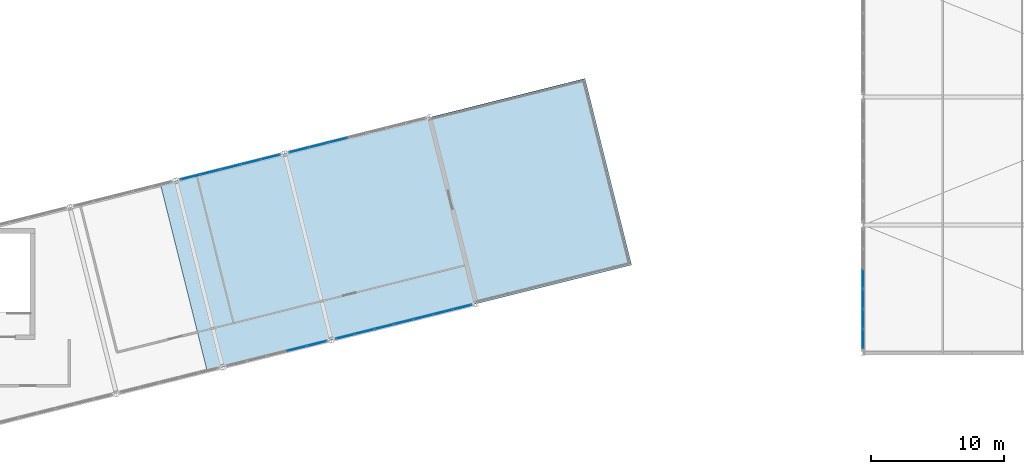
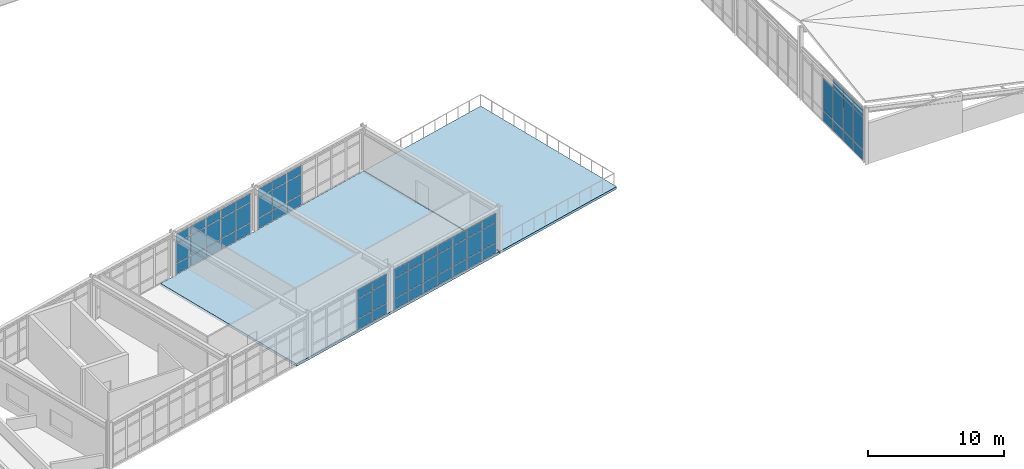
# One storey, part 42 of 64: 62 plates, 2 slabs, 5 elements without a shape of their own.
"""IFC4 building model written with IfcOpenShell, lengths in metres."""

from ifc_helpers import new_model, si_unit, direction, frame, origin, origin_2d, place, context, subcontext, project, spatial, polyline, rectangle, outline, extrude, material, layer, layer_set, type_object, element, aggregate, save


model = new_model("IFC4")

# Units and contexts
model_context = context("Model", 3, precision=1e-05, world=origin(), true_north=direction((0.0, 1.0)))
body_context = subcontext(model_context, "Body", "Model", "MODEL_VIEW")
ifc_project = project(units=[si_unit("LENGTHUNIT", "METRE"), si_unit("AREAUNIT", "SQUARE_METRE"), si_unit("VOLUMEUNIT", "CUBIC_METRE"), si_unit("PLANEANGLEUNIT", "RADIAN"), si_unit("MASSUNIT", "GRAM", prefix="KILO")], contexts=[model_context])

# Site, building, storey
site_placement = place(None, origin())
site = spatial("IfcSite", under=ifc_project, at=site_placement, CompositionType="ELEMENT")
building_placement = place(site_placement, origin())
building = spatial("IfcBuilding", under=site, at=building_placement, Name="Nordkorset Police Headquarters", CompositionType="ELEMENT")
storey_placement = place(building_placement, frame((0.0, 0.0, 17.85009765625)))
storey = spatial("IfcBuildingStorey", under=building, at=storey_placement, Name="L04", CompositionType="ELEMENT", Elevation=17.85009765625)

# Curtain wall, plates
ifc_material_1 = material(Name="Aluminium alloy AW-6060", Category="aluminium")
ifc_layer_1 = layer(ifc_material_1, 0.179931640625, Name="Aluminium alloy AW-6060")
ifc_layer_set_1 = layer_set([ifc_layer_1], Name="Aluminium alloy AW-6060")
curtain_wall_type_1 = type_object("IfcCurtainWallType", Name="CW_Unit_776x369", PredefinedType="USERDEFINED", material=ifc_layer_set_1)
curtain_wall_1_placement = place(storey_placement, origin())
curtain_wall_1 = element("IfcCurtainWall", 1, at=curtain_wall_1_placement, inside=storey, type_object=curtain_wall_type_1, Name="Unitised Curtain Wall L04 V4S-2", ObjectType="UNITISED CURTAIN WALL", PredefinedType="USERDEFINED")
ifc_material_2 = material(Name="Low-iron triple glazing", Category="glass")
ifc_layer_2 = layer(ifc_material_2, 0.035888671875, Name="Low-iron triple glazing")
ifc_layer_set_2 = layer_set([ifc_layer_2], Name="Low-iron triple glazing")
plate_type = type_object("IfcPlateType", Name="CW_Panel_TripleGlazing_36", PredefinedType="CURTAIN_PANEL", material=ifc_layer_set_2)
plate_1_placement = place(storey_placement, frame((48.97119140625, 48.3427734375, 0.06494140625), z_axis=(0.0, 0.0, 1.0), x_axis=(0.970142727556, 0.24253471539, 0.0)))
plate_1 = element("IfcPlate", 2, at=plate_1_placement, type_object=plate_type, Name="CW-21 panel 4.1", PredefinedType="CURTAIN_PANEL", context=body_context, shape_type="SweptSolid", body=[
    extrude(rectangle(XDim=1.487060546875, YDim=0.035888671875, at=origin_2d()), origin(), (0.0, 0.0, 1.0), 0.902587890625),
])
plate_2_placement = place(storey_placement, frame((48.97119140625, 48.3427734375, 1.032470703125), z_axis=(0.0, 0.0, 1.0), x_axis=(0.970142727556, 0.24253471539, 0.0)))
plate_2 = element("IfcPlate", 3, at=plate_2_placement, type_object=plate_type, Name="CW-21 panel 4.2", PredefinedType="CURTAIN_PANEL", context=body_context, shape_type="SweptSolid", body=[
    extrude(rectangle(XDim=1.487060546875, YDim=0.035888671875, at=origin_2d()), origin(), (0.0, 0.0, 1.0), 1.77587890625),
])
plate_3_placement = place(storey_placement, frame((48.97119140625, 48.3427734375, 2.87353515625), z_axis=(0.0, 0.0, 1.0), x_axis=(0.970142727556, 0.24253471539, 0.0)))
plate_3 = element("IfcPlate", 4, at=plate_3_placement, type_object=plate_type, Name="CW-21 panel 4.3", PredefinedType="CURTAIN_PANEL", context=body_context, shape_type="SweptSolid", body=[
    extrude(rectangle(XDim=1.487060546875, YDim=0.035888671875, at=origin_2d()), origin(), (0.0, 0.0, 1.0), 0.75244140625),
])
plate_4_placement = place(storey_placement, frame((50.461181640625, 48.71533203125, 0.06494140625), z_axis=(0.0, 0.0, 1.0), x_axis=(0.970142727556, 0.24253471539, 0.0)))
plate_4 = element("IfcPlate", 5, at=plate_4_placement, type_object=plate_type, Name="CW-21 panel 5.1", PredefinedType="CURTAIN_PANEL", context=body_context, shape_type="SweptSolid", body=[
    extrude(rectangle(XDim=1.45458984375, YDim=0.035888671875, at=origin_2d()), origin(), (0.0, 0.0, 1.0), 0.902587890625),
])
plate_5_placement = place(storey_placement, frame((50.461181640625, 48.71533203125, 1.032470703125), z_axis=(0.0, 0.0, 1.0), x_axis=(0.970142727556, 0.24253471539, 0.0)))
plate_5 = element("IfcPlate", 6, at=plate_5_placement, type_object=plate_type, Name="CW-21 panel 5.2", PredefinedType="CURTAIN_PANEL", context=body_context, shape_type="SweptSolid", body=[
    extrude(rectangle(XDim=1.45458984375, YDim=0.035888671875, at=origin_2d()), origin(), (0.0, 0.0, 1.0), 1.77587890625),
])
plate_6_placement = place(storey_placement, frame((50.461181640625, 48.71533203125, 2.87353515625), z_axis=(0.0, 0.0, 1.0), x_axis=(0.970142727556, 0.24253471539, 0.0)))
plate_6 = element("IfcPlate", 7, at=plate_6_placement, type_object=plate_type, Name="CW-21 panel 5.3", PredefinedType="CURTAIN_PANEL", context=body_context, shape_type="SweptSolid", body=[
    extrude(rectangle(XDim=1.45458984375, YDim=0.035888671875, at=origin_2d()), origin(), (0.0, 0.0, 1.0), 0.75244140625),
])
aggregate(curtain_wall_1, [plate_1, plate_2, plate_3, plate_4, plate_5, plate_6])

curtain_wall_2_placement = place(storey_placement, origin())
curtain_wall_2 = element("IfcCurtainWall", 8, at=curtain_wall_2_placement, inside=storey, type_object=curtain_wall_type_1, Name="Unitised Curtain Wall L04 V4N-2", ObjectType="UNITISED CURTAIN WALL", PredefinedType="USERDEFINED")
plate_7_placement = place(storey_placement, frame((40.9775390625, 61.1875, 0.06494140625), z_axis=(0.0, 0.0, 1.0), x_axis=(0.970142424344, 0.242535928242, 0.0)))
plate_7 = element("IfcPlate", 9, at=plate_7_placement, type_object=plate_type, Name="CW-21 panel 1.1", PredefinedType="CURTAIN_PANEL", context=body_context, shape_type="SweptSolid", body=[
    extrude(rectangle(XDim=1.45458984375, YDim=0.035888671875, at=origin_2d()), origin(), (0.0, 0.0, 1.0), 0.902587890625),
])
plate_8_placement = place(storey_placement, frame((40.9775390625, 61.1875, 1.032470703125), z_axis=(0.0, 0.0, 1.0), x_axis=(0.970142424344, 0.242535928242, 0.0)))
plate_8 = element("IfcPlate", 10, at=plate_8_placement, type_object=plate_type, Name="CW-21 panel 1.2", PredefinedType="CURTAIN_PANEL", context=body_context, shape_type="SweptSolid", body=[
    extrude(rectangle(XDim=1.45458984375, YDim=0.035888671875, at=origin_2d()), origin(), (0.0, 0.0, 1.0), 1.77587890625),
])
plate_9_placement = place(storey_placement, frame((40.9775390625, 61.1875, 2.87353515625), z_axis=(0.0, 0.0, 1.0), x_axis=(0.970142424344, 0.242535928242, 0.0)))
plate_9 = element("IfcPlate", 11, at=plate_9_placement, type_object=plate_type, Name="CW-21 panel 1.3", PredefinedType="CURTAIN_PANEL", context=body_context, shape_type="SweptSolid", body=[
    extrude(rectangle(XDim=1.45458984375, YDim=0.035888671875, at=origin_2d()), origin(), (0.0, 0.0, 1.0), 0.75244140625),
])
plate_10_placement = place(storey_placement, frame((42.46728515625, 61.56005859375, 0.06494140625), z_axis=(0.0, 0.0, 1.0), x_axis=(0.970142424344, 0.242535928242, 0.0)))
plate_10 = element("IfcPlate", 12, at=plate_10_placement, type_object=plate_type, Name="CW-21 panel 2.1", PredefinedType="CURTAIN_PANEL", context=body_context, shape_type="SweptSolid", body=[
    extrude(rectangle(XDim=1.487060546875, YDim=0.035888671875, at=origin_2d()), origin(), (0.0, 0.0, 1.0), 0.902587890625),
])
plate_11_placement = place(storey_placement, frame((42.46728515625, 61.56005859375, 1.032470703125), z_axis=(0.0, 0.0, 1.0), x_axis=(0.970142424344, 0.242535928242, 0.0)))
plate_11 = element("IfcPlate", 13, at=plate_11_placement, type_object=plate_type, Name="CW-21 panel 2.2", PredefinedType="CURTAIN_PANEL", context=body_context, shape_type="SweptSolid", body=[
    extrude(rectangle(XDim=1.487060546875, YDim=0.035888671875, at=origin_2d()), origin(), (0.0, 0.0, 1.0), 1.77587890625),
])
plate_12_placement = place(storey_placement, frame((42.46728515625, 61.56005859375, 2.87353515625), z_axis=(0.0, 0.0, 1.0), x_axis=(0.970142424344, 0.242535928242, 0.0)))
plate_12 = element("IfcPlate", 14, at=plate_12_placement, type_object=plate_type, Name="CW-21 panel 2.3", PredefinedType="CURTAIN_PANEL", context=body_context, shape_type="SweptSolid", body=[
    extrude(rectangle(XDim=1.487060546875, YDim=0.035888671875, at=origin_2d()), origin(), (0.0, 0.0, 1.0), 0.75244140625),
])
plate_13_placement = place(storey_placement, frame((43.972900390625, 61.9365234375, 0.06494140625), z_axis=(0.0, 0.0, 1.0), x_axis=(0.970142424344, 0.242535928242, 0.0)))
plate_13 = element("IfcPlate", 15, at=plate_13_placement, type_object=plate_type, Name="CW-21 panel 3.1", PredefinedType="CURTAIN_PANEL", context=body_context, shape_type="SweptSolid", body=[
    extrude(rectangle(XDim=1.487060546875, YDim=0.035888671875, at=origin_2d()), origin(), (0.0, 0.0, 1.0), 0.902587890625),
])
plate_14_placement = place(storey_placement, frame((43.972900390625, 61.9365234375, 1.032470703125), z_axis=(0.0, 0.0, 1.0), x_axis=(0.970142424344, 0.242535928242, 0.0)))
plate_14 = element("IfcPlate", 16, at=plate_14_placement, type_object=plate_type, Name="CW-21 panel 3.2", PredefinedType="CURTAIN_PANEL", context=body_context, shape_type="SweptSolid", body=[
    extrude(rectangle(XDim=1.487060546875, YDim=0.035888671875, at=origin_2d()), origin(), (0.0, 0.0, 1.0), 1.77587890625),
])
plate_15_placement = place(storey_placement, frame((43.972900390625, 61.9365234375, 2.87353515625), z_axis=(0.0, 0.0, 1.0), x_axis=(0.970142424344, 0.242535928242, 0.0)))
plate_15 = element("IfcPlate", 17, at=plate_15_placement, type_object=plate_type, Name="CW-21 panel 3.3", PredefinedType="CURTAIN_PANEL", context=body_context, shape_type="SweptSolid", body=[
    extrude(rectangle(XDim=1.487060546875, YDim=0.035888671875, at=origin_2d()), origin(), (0.0, 0.0, 1.0), 0.75244140625),
])
plate_16_placement = place(storey_placement, frame((45.478759765625, 62.312744140625, 0.06494140625), z_axis=(0.0, 0.0, 1.0), x_axis=(0.970142424344, 0.242535928242, 0.0)))
plate_16 = element("IfcPlate", 18, at=plate_16_placement, type_object=plate_type, Name="CW-21 panel 4.1", PredefinedType="CURTAIN_PANEL", context=body_context, shape_type="SweptSolid", body=[
    extrude(rectangle(XDim=1.487060546875, YDim=0.035888671875, at=origin_2d()), origin(), (0.0, 0.0, 1.0), 0.902587890625),
])
plate_17_placement = place(storey_placement, frame((45.478759765625, 62.312744140625, 1.032470703125), z_axis=(0.0, 0.0, 1.0), x_axis=(0.970142424344, 0.242535928242, 0.0)))
plate_17 = element("IfcPlate", 19, at=plate_17_placement, type_object=plate_type, Name="CW-21 panel 4.2", PredefinedType="CURTAIN_PANEL", context=body_context, shape_type="SweptSolid", body=[
    extrude(rectangle(XDim=1.487060546875, YDim=0.035888671875, at=origin_2d()), origin(), (0.0, 0.0, 1.0), 1.77587890625),
])
plate_18_placement = place(storey_placement, frame((45.478759765625, 62.312744140625, 2.87353515625), z_axis=(0.0, 0.0, 1.0), x_axis=(0.970142424344, 0.242535928242, 0.0)))
plate_18 = element("IfcPlate", 20, at=plate_18_placement, type_object=plate_type, Name="CW-21 panel 4.3", PredefinedType="CURTAIN_PANEL", context=body_context, shape_type="SweptSolid", body=[
    extrude(rectangle(XDim=1.487060546875, YDim=0.035888671875, at=origin_2d()), origin(), (0.0, 0.0, 1.0), 0.75244140625),
])
plate_19_placement = place(storey_placement, frame((46.968505859375, 62.685302734375, 0.06494140625), z_axis=(0.0, 0.0, 1.0), x_axis=(0.970142424344, 0.242535928242, 0.0)))
plate_19 = element("IfcPlate", 21, at=plate_19_placement, type_object=plate_type, Name="CW-21 panel 5.1", PredefinedType="CURTAIN_PANEL", context=body_context, shape_type="SweptSolid", body=[
    extrude(rectangle(XDim=1.45458984375, YDim=0.035888671875, at=origin_2d()), origin(), (0.0, 0.0, 1.0), 0.902587890625),
])
plate_20_placement = place(storey_placement, frame((46.968505859375, 62.685302734375, 1.032470703125), z_axis=(0.0, 0.0, 1.0), x_axis=(0.970142424344, 0.242535928242, 0.0)))
plate_20 = element("IfcPlate", 22, at=plate_20_placement, type_object=plate_type, Name="CW-21 panel 5.2", PredefinedType="CURTAIN_PANEL", context=body_context, shape_type="SweptSolid", body=[
    extrude(rectangle(XDim=1.45458984375, YDim=0.035888671875, at=origin_2d()), origin(), (0.0, 0.0, 1.0), 1.77587890625),
])
plate_21_placement = place(storey_placement, frame((46.968505859375, 62.685302734375, 2.87353515625), z_axis=(0.0, 0.0, 1.0), x_axis=(0.970142424344, 0.242535928242, 0.0)))
plate_21 = element("IfcPlate", 23, at=plate_21_placement, type_object=plate_type, Name="CW-21 panel 5.3", PredefinedType="CURTAIN_PANEL", context=body_context, shape_type="SweptSolid", body=[
    extrude(rectangle(XDim=1.45458984375, YDim=0.035888671875, at=origin_2d()), origin(), (0.0, 0.0, 1.0), 0.75244140625),
])
aggregate(curtain_wall_2, [plate_7, plate_8, plate_9, plate_10, plate_11, plate_12, plate_13, plate_14, plate_15, plate_16, plate_17, plate_18, plate_19, plate_20, plate_21])

ifc_material_3 = material(Name="Aluminium alloy AW-6060", Category="aluminium")
ifc_layer_3 = layer(ifc_material_3, 0.179931640625, Name="Aluminium alloy AW-6060")
ifc_layer_set_3 = layer_set([ifc_layer_3], Name="Aluminium alloy AW-6060")
curtain_wall_type_2 = type_object("IfcCurtainWallType", Name="CW_Unit_1056x369", PredefinedType="USERDEFINED", material=ifc_layer_set_3)
curtain_wall_3_placement = place(storey_placement, origin())
curtain_wall_3 = element("IfcCurtainWall", 24, at=curtain_wall_3_placement, inside=storey, type_object=curtain_wall_type_2, Name="Unitised Curtain Wall L04 V4S-3", ObjectType="UNITISED CURTAIN WALL", PredefinedType="USERDEFINED")
plate_22_placement = place(storey_placement, frame((52.59814453125, 49.24951171875, 0.06494140625), z_axis=(0.0, 0.0, 1.0), x_axis=(0.970142611554, 0.242535179399, 0.0)))
plate_22 = element("IfcPlate", 25, at=plate_22_placement, type_object=plate_type, Name="CW-97 panel 1.1", PredefinedType="CURTAIN_PANEL", context=body_context, shape_type="SweptSolid", body=[
    extrude(rectangle(XDim=1.4111328125, YDim=0.035888671875, at=origin_2d()), origin(), (0.0, 0.0, 1.0), 0.902587890625),
])
plate_23_placement = place(storey_placement, frame((52.59814453125, 49.24951171875, 1.032470703125), z_axis=(0.0, 0.0, 1.0), x_axis=(0.970142611554, 0.242535179399, 0.0)))
plate_23 = element("IfcPlate", 26, at=plate_23_placement, type_object=plate_type, Name="CW-97 panel 1.2", PredefinedType="CURTAIN_PANEL", context=body_context, shape_type="SweptSolid", body=[
    extrude(rectangle(XDim=1.4111328125, YDim=0.035888671875, at=origin_2d()), origin(), (0.0, 0.0, 1.0), 1.77587890625),
])
plate_24_placement = place(storey_placement, frame((52.59814453125, 49.24951171875, 2.87353515625), z_axis=(0.0, 0.0, 1.0), x_axis=(0.970142611554, 0.242535179399, 0.0)))
plate_24 = element("IfcPlate", 27, at=plate_24_placement, type_object=plate_type, Name="CW-97 panel 1.3", PredefinedType="CURTAIN_PANEL", context=body_context, shape_type="SweptSolid", body=[
    extrude(rectangle(XDim=1.4111328125, YDim=0.035888671875, at=origin_2d()), origin(), (0.0, 0.0, 1.0), 0.75244140625),
])
plate_25_placement = place(storey_placement, frame((54.0458984375, 49.611572265625, 0.06494140625), z_axis=(0.0, 0.0, 1.0), x_axis=(0.970142611554, 0.242535179399, 0.0)))
plate_25 = element("IfcPlate", 28, at=plate_25_placement, type_object=plate_type, Name="CW-97 panel 2.1", PredefinedType="CURTAIN_PANEL", context=body_context, shape_type="SweptSolid", body=[
    extrude(rectangle(XDim=1.443603515625, YDim=0.035888671875, at=origin_2d()), origin(), (0.0, 0.0, 1.0), 0.902587890625),
])
plate_26_placement = place(storey_placement, frame((54.0458984375, 49.611572265625, 1.032470703125), z_axis=(0.0, 0.0, 1.0), x_axis=(0.970142611554, 0.242535179399, 0.0)))
plate_26 = element("IfcPlate", 29, at=plate_26_placement, type_object=plate_type, Name="CW-97 panel 2.2", PredefinedType="CURTAIN_PANEL", context=body_context, shape_type="SweptSolid", body=[
    extrude(rectangle(XDim=1.443603515625, YDim=0.035888671875, at=origin_2d()), origin(), (0.0, 0.0, 1.0), 1.77587890625),
])
plate_27_placement = place(storey_placement, frame((54.0458984375, 49.611572265625, 2.87353515625), z_axis=(0.0, 0.0, 1.0), x_axis=(0.970142611554, 0.242535179399, 0.0)))
plate_27 = element("IfcPlate", 30, at=plate_27_placement, type_object=plate_type, Name="CW-97 panel 2.3", PredefinedType="CURTAIN_PANEL", context=body_context, shape_type="SweptSolid", body=[
    extrude(rectangle(XDim=1.443603515625, YDim=0.035888671875, at=origin_2d()), origin(), (0.0, 0.0, 1.0), 0.75244140625),
])
plate_28_placement = place(storey_placement, frame((55.50927734375, 49.977294921875, 0.06494140625), z_axis=(0.0, 0.0, 1.0), x_axis=(0.970142611554, 0.242535179399, 0.0)))
plate_28 = element("IfcPlate", 31, at=plate_28_placement, type_object=plate_type, Name="CW-97 panel 3.1", PredefinedType="CURTAIN_PANEL", context=body_context, shape_type="SweptSolid", body=[
    extrude(rectangle(XDim=1.443603515625, YDim=0.035888671875, at=origin_2d()), origin(), (0.0, 0.0, 1.0), 0.902587890625),
])
plate_29_placement = place(storey_placement, frame((55.50927734375, 49.977294921875, 1.032470703125), z_axis=(0.0, 0.0, 1.0), x_axis=(0.970142611554, 0.242535179399, 0.0)))
plate_29 = element("IfcPlate", 32, at=plate_29_placement, type_object=plate_type, Name="CW-97 panel 3.2", PredefinedType="CURTAIN_PANEL", context=body_context, shape_type="SweptSolid", body=[
    extrude(rectangle(XDim=1.443603515625, YDim=0.035888671875, at=origin_2d()), origin(), (0.0, 0.0, 1.0), 1.77587890625),
])
plate_30_placement = place(storey_placement, frame((55.50927734375, 49.977294921875, 2.87353515625), z_axis=(0.0, 0.0, 1.0), x_axis=(0.970142611554, 0.242535179399, 0.0)))
plate_30 = element("IfcPlate", 33, at=plate_30_placement, type_object=plate_type, Name="CW-97 panel 3.3", PredefinedType="CURTAIN_PANEL", context=body_context, shape_type="SweptSolid", body=[
    extrude(rectangle(XDim=1.443603515625, YDim=0.035888671875, at=origin_2d()), origin(), (0.0, 0.0, 1.0), 0.75244140625),
])
plate_31_placement = place(storey_placement, frame((56.972900390625, 50.34326171875, 0.06494140625), z_axis=(0.0, 0.0, 1.0), x_axis=(0.970142611554, 0.242535179399, 0.0)))
plate_31 = element("IfcPlate", 34, at=plate_31_placement, type_object=plate_type, Name="CW-97 panel 4.1", PredefinedType="CURTAIN_PANEL", context=body_context, shape_type="SweptSolid", body=[
    extrude(rectangle(XDim=1.443603515625, YDim=0.035888671875, at=origin_2d()), origin(), (0.0, 0.0, 1.0), 0.902587890625),
])
plate_32_placement = place(storey_placement, frame((56.972900390625, 50.34326171875, 1.032470703125), z_axis=(0.0, 0.0, 1.0), x_axis=(0.970142611554, 0.242535179399, 0.0)))
plate_32 = element("IfcPlate", 35, at=plate_32_placement, type_object=plate_type, Name="CW-97 panel 4.2", PredefinedType="CURTAIN_PANEL", context=body_context, shape_type="SweptSolid", body=[
    extrude(rectangle(XDim=1.443603515625, YDim=0.035888671875, at=origin_2d()), origin(), (0.0, 0.0, 1.0), 1.77587890625),
])
plate_33_placement = place(storey_placement, frame((56.972900390625, 50.34326171875, 2.87353515625), z_axis=(0.0, 0.0, 1.0), x_axis=(0.970142611554, 0.242535179399, 0.0)))
plate_33 = element("IfcPlate", 36, at=plate_33_placement, type_object=plate_type, Name="CW-97 panel 4.3", PredefinedType="CURTAIN_PANEL", context=body_context, shape_type="SweptSolid", body=[
    extrude(rectangle(XDim=1.443603515625, YDim=0.035888671875, at=origin_2d()), origin(), (0.0, 0.0, 1.0), 0.75244140625),
])
plate_34_placement = place(storey_placement, frame((58.4365234375, 50.708984375, 0.06494140625), z_axis=(0.0, 0.0, 1.0), x_axis=(0.970142611554, 0.242535179399, 0.0)))
plate_34 = element("IfcPlate", 37, at=plate_34_placement, type_object=plate_type, Name="CW-97 panel 5.1", PredefinedType="CURTAIN_PANEL", context=body_context, shape_type="SweptSolid", body=[
    extrude(rectangle(XDim=1.443603515625, YDim=0.035888671875, at=origin_2d()), origin(), (0.0, 0.0, 1.0), 0.902587890625),
])
plate_35_placement = place(storey_placement, frame((58.4365234375, 50.708984375, 1.032470703125), z_axis=(0.0, 0.0, 1.0), x_axis=(0.970142611554, 0.242535179399, 0.0)))
plate_35 = element("IfcPlate", 38, at=plate_35_placement, type_object=plate_type, Name="CW-97 panel 5.2", PredefinedType="CURTAIN_PANEL", context=body_context, shape_type="SweptSolid", body=[
    extrude(rectangle(XDim=1.443603515625, YDim=0.035888671875, at=origin_2d()), origin(), (0.0, 0.0, 1.0), 1.77587890625),
])
plate_36_placement = place(storey_placement, frame((58.4365234375, 50.708984375, 2.87353515625), z_axis=(0.0, 0.0, 1.0), x_axis=(0.970142611554, 0.242535179399, 0.0)))
plate_36 = element("IfcPlate", 39, at=plate_36_placement, type_object=plate_type, Name="CW-97 panel 5.3", PredefinedType="CURTAIN_PANEL", context=body_context, shape_type="SweptSolid", body=[
    extrude(rectangle(XDim=1.443603515625, YDim=0.035888671875, at=origin_2d()), origin(), (0.0, 0.0, 1.0), 0.75244140625),
])
plate_37_placement = place(storey_placement, frame((59.89990234375, 51.074951171875, 0.06494140625), z_axis=(0.0, 0.0, 1.0), x_axis=(0.970142611554, 0.242535179399, 0.0)))
plate_37 = element("IfcPlate", 40, at=plate_37_placement, type_object=plate_type, Name="CW-97 panel 6.1", PredefinedType="CURTAIN_PANEL", context=body_context, shape_type="SweptSolid", body=[
    extrude(rectangle(XDim=1.443603515625, YDim=0.035888671875, at=origin_2d()), origin(), (0.0, 0.0, 1.0), 0.902587890625),
])
plate_38_placement = place(storey_placement, frame((59.89990234375, 51.074951171875, 1.032470703125), z_axis=(0.0, 0.0, 1.0), x_axis=(0.970142611554, 0.242535179399, 0.0)))
plate_38 = element("IfcPlate", 41, at=plate_38_placement, type_object=plate_type, Name="CW-97 panel 6.2", PredefinedType="CURTAIN_PANEL", context=body_context, shape_type="SweptSolid", body=[
    extrude(rectangle(XDim=1.443603515625, YDim=0.035888671875, at=origin_2d()), origin(), (0.0, 0.0, 1.0), 1.77587890625),
])
plate_39_placement = place(storey_placement, frame((59.89990234375, 51.074951171875, 2.87353515625), z_axis=(0.0, 0.0, 1.0), x_axis=(0.970142611554, 0.242535179399, 0.0)))
plate_39 = element("IfcPlate", 42, at=plate_39_placement, type_object=plate_type, Name="CW-97 panel 6.3", PredefinedType="CURTAIN_PANEL", context=body_context, shape_type="SweptSolid", body=[
    extrude(rectangle(XDim=1.443603515625, YDim=0.035888671875, at=origin_2d()), origin(), (0.0, 0.0, 1.0), 0.75244140625),
])
plate_40_placement = place(storey_placement, frame((61.34765625, 51.43701171875, 0.06494140625), z_axis=(0.0, 0.0, 1.0), x_axis=(0.970142611554, 0.242535179399, 0.0)))
plate_40 = element("IfcPlate", 43, at=plate_40_placement, type_object=plate_type, Name="CW-97 panel 7.1", PredefinedType="CURTAIN_PANEL", context=body_context, shape_type="SweptSolid", body=[
    extrude(rectangle(XDim=1.4111328125, YDim=0.035888671875, at=origin_2d()), origin(), (0.0, 0.0, 1.0), 0.902587890625),
])
plate_41_placement = place(storey_placement, frame((61.34765625, 51.43701171875, 1.032470703125), z_axis=(0.0, 0.0, 1.0), x_axis=(0.970142611554, 0.242535179399, 0.0)))
plate_41 = element("IfcPlate", 44, at=plate_41_placement, type_object=plate_type, Name="CW-97 panel 7.2", PredefinedType="CURTAIN_PANEL", context=body_context, shape_type="SweptSolid", body=[
    extrude(rectangle(XDim=1.4111328125, YDim=0.035888671875, at=origin_2d()), origin(), (0.0, 0.0, 1.0), 1.77587890625),
])
plate_42_placement = place(storey_placement, frame((61.34765625, 51.43701171875, 2.87353515625), z_axis=(0.0, 0.0, 1.0), x_axis=(0.970142611554, 0.242535179399, 0.0)))
plate_42 = element("IfcPlate", 45, at=plate_42_placement, type_object=plate_type, Name="CW-97 panel 7.3", PredefinedType="CURTAIN_PANEL", context=body_context, shape_type="SweptSolid", body=[
    extrude(rectangle(XDim=1.4111328125, YDim=0.035888671875, at=origin_2d()), origin(), (0.0, 0.0, 1.0), 0.75244140625),
])
aggregate(curtain_wall_3, [plate_22, plate_23, plate_24, plate_25, plate_26, plate_27, plate_28, plate_29, plate_30, plate_31, plate_32, plate_33, plate_34, plate_35, plate_36, plate_37, plate_38, plate_39, plate_40, plate_41, plate_42])

curtain_wall_4_placement = place(storey_placement, origin())
curtain_wall_4 = element("IfcCurtainWall", 46, at=curtain_wall_4_placement, inside=storey, type_object=curtain_wall_type_2, Name="Unitised Curtain Wall L04 V4N-3", ObjectType="UNITISED CURTAIN WALL", PredefinedType="USERDEFINED")
plate_43_placement = place(storey_placement, frame((49.10546875, 63.219482421875, 0.06494140625), z_axis=(0.0, 0.0, 1.0), x_axis=(0.970142388735, 0.242536070676, 0.0)))
plate_43 = element("IfcPlate", 47, at=plate_43_placement, type_object=plate_type, Name="CW-97 panel 1.1", PredefinedType="CURTAIN_PANEL", context=body_context, shape_type="SweptSolid", body=[
    extrude(rectangle(XDim=1.4111328125, YDim=0.035888671875, at=origin_2d()), origin(), (0.0, 0.0, 1.0), 0.902587890625),
])
plate_44_placement = place(storey_placement, frame((49.10546875, 63.219482421875, 1.032470703125), z_axis=(0.0, 0.0, 1.0), x_axis=(0.970142388735, 0.242536070676, 0.0)))
plate_44 = element("IfcPlate", 48, at=plate_44_placement, type_object=plate_type, Name="CW-97 panel 1.2", PredefinedType="CURTAIN_PANEL", context=body_context, shape_type="SweptSolid", body=[
    extrude(rectangle(XDim=1.4111328125, YDim=0.035888671875, at=origin_2d()), origin(), (0.0, 0.0, 1.0), 1.77587890625),
])
plate_45_placement = place(storey_placement, frame((49.10546875, 63.219482421875, 2.87353515625), z_axis=(0.0, 0.0, 1.0), x_axis=(0.970142388735, 0.242536070676, 0.0)))
plate_45 = element("IfcPlate", 49, at=plate_45_placement, type_object=plate_type, Name="CW-97 panel 1.3", PredefinedType="CURTAIN_PANEL", context=body_context, shape_type="SweptSolid", body=[
    extrude(rectangle(XDim=1.4111328125, YDim=0.035888671875, at=origin_2d()), origin(), (0.0, 0.0, 1.0), 0.75244140625),
])
plate_46_placement = place(storey_placement, frame((50.55322265625, 63.58154296875, 0.06494140625), z_axis=(0.0, 0.0, 1.0), x_axis=(0.970142388735, 0.242536070676, 0.0)))
plate_46 = element("IfcPlate", 50, at=plate_46_placement, type_object=plate_type, Name="CW-97 panel 2.1", PredefinedType="CURTAIN_PANEL", context=body_context, shape_type="SweptSolid", body=[
    extrude(rectangle(XDim=1.443603515625, YDim=0.035888671875, at=origin_2d()), origin(), (0.0, 0.0, 1.0), 0.902587890625),
])
plate_47_placement = place(storey_placement, frame((50.55322265625, 63.58154296875, 1.032470703125), z_axis=(0.0, 0.0, 1.0), x_axis=(0.970142388735, 0.242536070676, 0.0)))
plate_47 = element("IfcPlate", 51, at=plate_47_placement, type_object=plate_type, Name="CW-97 panel 2.2", PredefinedType="CURTAIN_PANEL", context=body_context, shape_type="SweptSolid", body=[
    extrude(rectangle(XDim=1.443603515625, YDim=0.035888671875, at=origin_2d()), origin(), (0.0, 0.0, 1.0), 1.77587890625),
])
plate_48_placement = place(storey_placement, frame((50.55322265625, 63.58154296875, 2.87353515625), z_axis=(0.0, 0.0, 1.0), x_axis=(0.970142388735, 0.242536070676, 0.0)))
plate_48 = element("IfcPlate", 52, at=plate_48_placement, type_object=plate_type, Name="CW-97 panel 2.3", PredefinedType="CURTAIN_PANEL", context=body_context, shape_type="SweptSolid", body=[
    extrude(rectangle(XDim=1.443603515625, YDim=0.035888671875, at=origin_2d()), origin(), (0.0, 0.0, 1.0), 0.75244140625),
])
plate_49_placement = place(storey_placement, frame((52.016845703125, 63.947509765625, 0.06494140625), z_axis=(0.0, 0.0, 1.0), x_axis=(0.970142388735, 0.242536070676, 0.0)))
plate_49 = element("IfcPlate", 53, at=plate_49_placement, type_object=plate_type, Name="CW-97 panel 3.1", PredefinedType="CURTAIN_PANEL", context=body_context, shape_type="SweptSolid", body=[
    extrude(rectangle(XDim=1.443603515625, YDim=0.035888671875, at=origin_2d()), origin(), (0.0, 0.0, 1.0), 0.902587890625),
])
plate_50_placement = place(storey_placement, frame((52.016845703125, 63.947509765625, 1.032470703125), z_axis=(0.0, 0.0, 1.0), x_axis=(0.970142388735, 0.242536070676, 0.0)))
plate_50 = element("IfcPlate", 54, at=plate_50_placement, type_object=plate_type, Name="CW-97 panel 3.2", PredefinedType="CURTAIN_PANEL", context=body_context, shape_type="SweptSolid", body=[
    extrude(rectangle(XDim=1.443603515625, YDim=0.035888671875, at=origin_2d()), origin(), (0.0, 0.0, 1.0), 1.77587890625),
])
plate_51_placement = place(storey_placement, frame((52.016845703125, 63.947509765625, 2.87353515625), z_axis=(0.0, 0.0, 1.0), x_axis=(0.970142388735, 0.242536070676, 0.0)))
plate_51 = element("IfcPlate", 55, at=plate_51_placement, type_object=plate_type, Name="CW-97 panel 3.3", PredefinedType="CURTAIN_PANEL", context=body_context, shape_type="SweptSolid", body=[
    extrude(rectangle(XDim=1.443603515625, YDim=0.035888671875, at=origin_2d()), origin(), (0.0, 0.0, 1.0), 0.75244140625),
])
aggregate(curtain_wall_4, [plate_43, plate_44, plate_45, plate_46, plate_47, plate_48, plate_49, plate_50, plate_51])

ifc_material_4 = material(Name="Aluminium alloy AW-6060", Category="aluminium")
ifc_layer_4 = layer(ifc_material_4, 0.179931640625, Name="Aluminium alloy AW-6060")
ifc_layer_set_4 = layer_set([ifc_layer_4], Name="Aluminium alloy AW-6060")
curtain_wall_type_3 = type_object("IfcCurtainWallType", Name="CW_Unit_900x479", PredefinedType="USERDEFINED", material=ifc_layer_set_4)
curtain_wall_5_placement = place(storey_placement, origin())
curtain_wall_5 = element("IfcCurtainWall", 56, at=curtain_wall_5_placement, inside=storey, type_object=curtain_wall_type_3, Name="Unitised Curtain Wall L04 V5CLER-0", ObjectType="UNITISED CURTAIN WALL", PredefinedType="USERDEFINED")
plate_52_placement = place(storey_placement, frame((91.39990234375, 49.066162109375, 0.06494140625), z_axis=(0.0, 0.0, 1.0), x_axis=(0.0, 1.0, 0.0)))
plate_52 = element("IfcPlate", 57, at=plate_52_placement, type_object=plate_type, Name="CW-89 panel 1.1", PredefinedType="CURTAIN_PANEL", context=body_context, shape_type="SweptSolid", body=[
    extrude(rectangle(XDim=1.402587890625, YDim=0.035888671875, at=origin_2d()), origin(), (0.0, 0.0, 1.0), 0.902587890625),
])
plate_53_placement = place(storey_placement, frame((91.39990234375, 49.066162109375, 1.032470703125), z_axis=(0.0, 0.0, 1.0), x_axis=(0.0, 1.0, 0.0)))
plate_53 = element("IfcPlate", 58, at=plate_53_placement, type_object=plate_type, Name="CW-89 panel 1.2", PredefinedType="CURTAIN_PANEL", context=body_context, shape_type="SweptSolid", body=[
    extrude(rectangle(XDim=1.402587890625, YDim=0.035888671875, at=origin_2d()), origin(), (0.0, 0.0, 1.0), 2.875),
])
plate_54_placement = place(storey_placement, frame((91.39990234375, 49.066162109375, 3.972412109375), z_axis=(0.0, 0.0, 1.0), x_axis=(0.0, 1.0, 0.0)))
plate_54 = element("IfcPlate", 59, at=plate_54_placement, type_object=plate_type, Name="CW-89 panel 1.3", PredefinedType="CURTAIN_PANEL", context=body_context, shape_type="SweptSolid", body=[
    extrude(rectangle(XDim=1.402587890625, YDim=0.035888671875, at=origin_2d()), origin(), (0.0, 0.0, 1.0), 0.75244140625),
])
plate_55_placement = place(storey_placement, frame((91.39990234375, 50.550048828125, 0.06494140625), z_axis=(0.0, 0.0, 1.0), x_axis=(0.0, 1.0, 0.0)))
plate_55 = element("IfcPlate", 60, at=plate_55_placement, type_object=plate_type, Name="CW-89 panel 2.1", PredefinedType="CURTAIN_PANEL", context=body_context, shape_type="SweptSolid", body=[
    extrude(rectangle(XDim=1.43505859375, YDim=0.035888671875, at=origin_2d()), origin(), (0.0, 0.0, 1.0), 0.902587890625),
])
plate_56_placement = place(storey_placement, frame((91.39990234375, 50.550048828125, 1.032470703125), z_axis=(0.0, 0.0, 1.0), x_axis=(0.0, 1.0, 0.0)))
plate_56 = element("IfcPlate", 61, at=plate_56_placement, type_object=plate_type, Name="CW-89 panel 2.2", PredefinedType="CURTAIN_PANEL", context=body_context, shape_type="SweptSolid", body=[
    extrude(rectangle(XDim=1.43505859375, YDim=0.035888671875, at=origin_2d()), origin(), (0.0, 0.0, 1.0), 2.875),
])
plate_57_placement = place(storey_placement, frame((91.39990234375, 50.550048828125, 3.972412109375), z_axis=(0.0, 0.0, 1.0), x_axis=(0.0, 1.0, 0.0)))
plate_57 = element("IfcPlate", 62, at=plate_57_placement, type_object=plate_type, Name="CW-89 panel 2.3", PredefinedType="CURTAIN_PANEL", context=body_context, shape_type="SweptSolid", body=[
    extrude(rectangle(XDim=1.43505859375, YDim=0.035888671875, at=origin_2d()), origin(), (0.0, 0.0, 1.0), 0.75244140625),
])
plate_58_placement = place(storey_placement, frame((91.39990234375, 52.050048828125, 0.06494140625), z_axis=(0.0, 0.0, 1.0), x_axis=(0.0, 1.0, 0.0)))
plate_58 = element("IfcPlate", 63, at=plate_58_placement, type_object=plate_type, Name="CW-89 panel 3.1", PredefinedType="CURTAIN_PANEL", context=body_context, shape_type="SweptSolid", body=[
    extrude(rectangle(XDim=1.43505859375, YDim=0.035888671875, at=origin_2d()), origin(), (0.0, 0.0, 1.0), 0.902587890625),
])
plate_59_placement = place(storey_placement, frame((91.39990234375, 52.050048828125, 1.032470703125), z_axis=(0.0, 0.0, 1.0), x_axis=(0.0, 1.0, 0.0)))
plate_59 = element("IfcPlate", 64, at=plate_59_placement, type_object=plate_type, Name="CW-89 panel 3.2", PredefinedType="CURTAIN_PANEL", context=body_context, shape_type="SweptSolid", body=[
    extrude(rectangle(XDim=1.43505859375, YDim=0.035888671875, at=origin_2d()), origin(), (0.0, 0.0, 1.0), 2.875),
])
plate_60_placement = place(storey_placement, frame((91.39990234375, 52.050048828125, 3.972412109375), z_axis=(0.0, 0.0, 1.0), x_axis=(0.0, 1.0, 0.0)))
plate_60 = element("IfcPlate", 65, at=plate_60_placement, type_object=plate_type, Name="CW-89 panel 3.3", PredefinedType="CURTAIN_PANEL", context=body_context, shape_type="SweptSolid", body=[
    extrude(rectangle(XDim=1.43505859375, YDim=0.035888671875, at=origin_2d()), origin(), (0.0, 0.0, 1.0), 0.75244140625),
])
plate_61_placement = place(storey_placement, frame((91.39990234375, 53.550048828125, 0.06494140625), z_axis=(0.0, 0.0, 1.0), x_axis=(0.0, 1.0, 0.0)))
plate_61 = element("IfcPlate", 66, at=plate_61_placement, type_object=plate_type, Name="CW-89 panel 4.1", PredefinedType="CURTAIN_PANEL", context=body_context, shape_type="SweptSolid", body=[
    extrude(rectangle(XDim=1.43505859375, YDim=0.035888671875, at=origin_2d()), origin(), (0.0, 0.0, 1.0), 0.902587890625),
])
plate_62_placement = place(storey_placement, frame((91.39990234375, 53.550048828125, 1.032470703125), z_axis=(0.0, 0.0, 1.0), x_axis=(0.0, 1.0, 0.0)))
plate_62 = element("IfcPlate", 67, at=plate_62_placement, type_object=plate_type, Name="CW-89 panel 4.2", PredefinedType="CURTAIN_PANEL", context=body_context, shape_type="SweptSolid", body=[
    extrude(rectangle(XDim=1.43505859375, YDim=0.035888671875, at=origin_2d()), origin(), (0.0, 0.0, 1.0), 2.875),
])
aggregate(curtain_wall_5, [plate_52, plate_53, plate_54, plate_55, plate_56, plate_57, plate_58, plate_59, plate_60, plate_61, plate_62])

# Slabs
ifc_material_5 = material(Name="Concrete C35/45", Category="concrete")
ifc_layer_5 = layer(ifc_material_5, 0.219970703125, Name="Concrete C35/45")
ifc_layer_set_5 = layer_set([ifc_layer_5], Name="Concrete C35/45")
slab_type_1 = type_object("IfcSlabType", Name="Slab_Office_220", PredefinedType="FLOOR", material=ifc_layer_set_5)
slab_1_placement = place(storey_placement, frame((0.0, 0.0, -0.22021484375)))
element("IfcSlab", 68, at=slab_1_placement, inside=storey, type_object=slab_type_1, Name="Splayed Wing Floor Slab East L04", PredefinedType="FLOOR", context=body_context, shape_type="SweptSolid", body=[
    extrude(outline(polyline([(42.236328125, 46.6591796875), (62.40576171875, 51.701416015625), (58.9130859375, 65.67138671875), (38.743896484375, 60.629150390625), (42.236328125, 46.6591796875)])), origin(), (0.0, 0.0, 1.0), 0.22021484375),
])
ifc_material_6 = material(Name="Concrete C35/45", Category="concrete")
ifc_layer_6 = layer(ifc_material_6, 0.215087890625, Name="Concrete C35/45")
ifc_layer_set_6 = layer_set([ifc_layer_6], Name="Concrete C35/45")
slab_type_2 = type_object("IfcSlabType", Name="Slab_Terrace_215", PredefinedType="FLOOR", material=ifc_layer_set_6)
slab_2_placement = place(storey_placement, frame((0.0, 0.0, -0.215087890625)))
element("IfcSlab", 69, at=slab_2_placement, inside=storey, type_object=slab_type_2, Name="Planted Courtyard Wing Roof Terrace", PredefinedType="FLOOR", context=body_context, shape_type="SweptSolid", body=[
    extrude(outline(polyline([(62.4541015625, 51.713623046875), (74.04736328125, 54.61181640625), (70.554931640625, 68.58203125), (58.961669921875, 65.68359375), (62.4541015625, 51.713623046875)])), origin(), (0.0, 0.0, 1.0), 0.215087890625),
])

save(model, "model.ifc")
